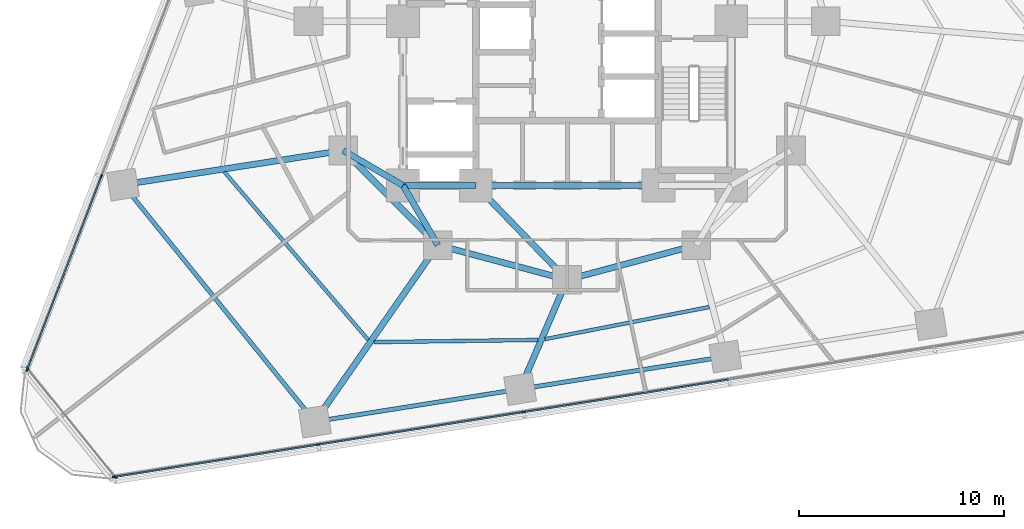
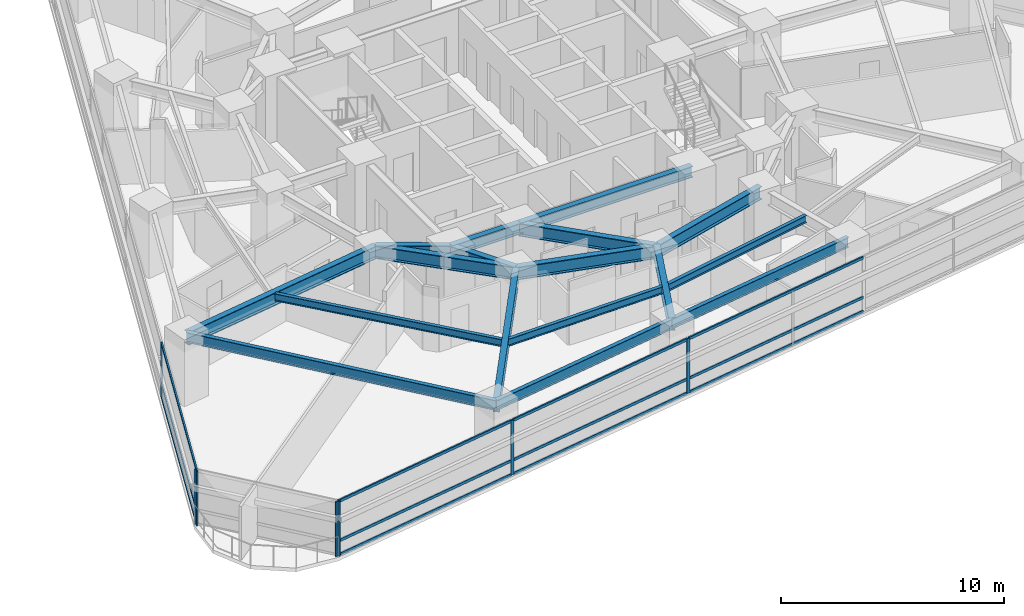
# One storey, part 2 of 13: 19 members, 17 beams, 3 elements without a shape of their own.
"""IFC4 building model written with IfcOpenShell, lengths in metres."""

from ifc_helpers import new_model, si_unit, direction, frame, origin, origin_2d, place, context, subcontext, project, spatial, rectangle, i_section, extrude, material, layer, layer_set, material_profile, profile_set, type_object, element, aggregate, save


model = new_model("IFC4")

# Units and contexts
model_context = context("Model", 3, precision=1e-05, world=origin(), true_north=direction((0.0, 1.0)))
body_context = subcontext(model_context, "Body", "Model", "MODEL_VIEW")
ifc_project = project(units=[si_unit("LENGTHUNIT", "METRE"), si_unit("AREAUNIT", "SQUARE_METRE"), si_unit("VOLUMEUNIT", "CUBIC_METRE"), si_unit("PLANEANGLEUNIT", "RADIAN"), si_unit("MASSUNIT", "GRAM", prefix="KILO")], contexts=[model_context])

# Site, building, storey
site_placement = place(None, origin())
site = spatial("IfcSite", under=ifc_project, at=site_placement, CompositionType="ELEMENT")
building_placement = place(site_placement, origin())
building = spatial("IfcBuilding", under=site, at=building_placement, Name="Terralouvre Media Tower", CompositionType="ELEMENT")
storey_placement = place(building_placement, frame((0.0, 0.0, 77.800048828125)))
storey = spatial("IfcBuildingStorey", under=building, at=storey_placement, Name="L19", CompositionType="ELEMENT", Elevation=77.800048828125)

# Beams
ifc_material_1 = material(Name="Structural steel S355J2", Category="steel")
ifc_material_profile_1 = material_profile(ifc_material_1, i_section(OverallWidth=0.179931640625, OverallDepth=0.39990234375, WebThickness=0.008544921875, FlangeThickness=0.013427734375, at=origin_2d()), Name="IPE 400")
ifc_profile_set_1 = profile_set([ifc_material_profile_1], Name="Structural steel S355J2")
beam_type_1 = type_object("IfcBeamType", Name="Composite Floor Joist J-IPE400 (IPE 400)", PredefinedType="JOIST", material=ifc_profile_set_1)
beam_1_placement = place(storey_placement, frame((-16.69921875, -7.3486328125, 3.300048828125), z_axis=(0.650576599138, -0.759440641955, 0.0), x_axis=(0.759440641955, 0.650576599138, 0.0)))
element("IfcBeam", 1, at=beam_1_placement, inside=storey, type_object=beam_type_1, Name="L19 Framing Beam JT-L19-01", PredefinedType="JOIST", context=body_context, shape_type="SweptSolid", body=[
    extrude(i_section(OverallWidth=0.179931640625, OverallDepth=0.39990234375, WebThickness=0.008544921875, FlangeThickness=0.013427734375, at=origin_2d()), origin(), (0.0, 0.0, 1.0), 10.766845703125),
])
beam_2_placement = place(storey_placement, frame((-9.41259765625, -15.63916015625, 3.300048828125), z_axis=(0.999910093881, 0.013409107136, 0.0), x_axis=(-0.013409107136, 0.999910093881, 0.0)))
element("IfcBeam", 2, at=beam_2_placement, inside=storey, type_object=beam_type_1, Name="L19 Framing Beam JT-L19-02", PredefinedType="JOIST", context=body_context, shape_type="SweptSolid", body=[
    extrude(i_section(OverallWidth=0.179931640625, OverallDepth=0.39990234375, WebThickness=0.008544921875, FlangeThickness=0.013427734375, at=origin_2d()), origin(), (0.0, 0.0, 1.0), 7.992919921875),
])
beam_3_placement = place(storey_placement, frame((-1.08203125, -15.495361328125, 3.300048828125), z_axis=(0.981397676367, 0.191985939127, 0.0), x_axis=(-0.191985939127, 0.981397676367, 0.0)))
element("IfcBeam", 3, at=beam_3_placement, inside=storey, type_object=beam_type_1, Name="L19 Framing Beam JT-L19-03", PredefinedType="JOIST", context=body_context, shape_type="SweptSolid", body=[
    extrude(i_section(OverallWidth=0.179931640625, OverallDepth=0.39990234375, WebThickness=0.008544921875, FlangeThickness=0.013427734375, at=origin_2d()), origin(), (0.0, 0.0, 1.0), 8.165283203125),
])

# Curtain wall, members
ifc_material_2 = material(Name="Low-iron laminated double glazing with solar-control coating", Category="glass")
ifc_layer_1 = layer(ifc_material_2, 0.1650390625, Name="Lower Media Tower Unitised Curtain Wall CW-02")
ifc_layer_set_1 = layer_set([ifc_layer_1], Name="Low-iron laminated double glazing with solar-control coating")
curtain_wall_type_1 = type_object("IfcCurtainWallType", Name="Lower Media Tower Unitised Curtain Wall CW-02", PredefinedType="NOTDEFINED", material=ifc_layer_set_1)
curtain_wall_1_placement = place(storey_placement, origin())
curtain_wall_1 = element("IfcCurtainWall", 4, at=curtain_wall_1_placement, inside=storey, type_object=curtain_wall_type_1, Name="L19 Facade Curtain Wall F0", PredefinedType="NOTDEFINED")
ifc_material_3 = material(Name="Anodised extruded aluminium 6063-T6", Category="aluminium")
ifc_material_profile_2 = material_profile(ifc_material_3, rectangle(XDim=0.074951171875, YDim=0.14990234375, at=origin_2d()), Name="ALU 75x150")
ifc_profile_set_2 = profile_set([ifc_material_profile_2], Name="Anodised extruded aluminium 6063-T6")
member_type_1 = type_object("IfcMemberType", Name="Curtain-Wall Horizontal Transom TR-150", PredefinedType="USERDEFINED", material=ifc_profile_set_2)
member_1_placement = place(storey_placement, frame((-22.04345703125, -22.2001953125, 0.037353515625), z_axis=(0.987689925264, 0.15642445951, 0.0), x_axis=(-0.15642445951, 0.987689925264, 0.0)))
member_1 = element("IfcMember", 5, at=member_1_placement, type_object=member_type_1, Name="CW-02 transom 1.1", ObjectType="TRANSOM", PredefinedType="USERDEFINED", context=body_context, shape_type="SweptSolid", body=[
    extrude(rectangle(XDim=0.074951171875, YDim=0.14990234375, at=origin_2d()), origin(), (0.0, 0.0, 1.0), 10.015380859375),
])
member_2_placement = place(storey_placement, frame((-22.04345703125, -22.2001953125, 0.800048828125), z_axis=(0.987689925264, 0.15642445951, 0.0), x_axis=(-0.15642445951, 0.987689925264, 0.0)))
member_2 = element("IfcMember", 6, at=member_2_placement, type_object=member_type_1, Name="CW-02 transom 1.2", ObjectType="TRANSOM", PredefinedType="USERDEFINED", context=body_context, shape_type="SweptSolid", body=[
    extrude(rectangle(XDim=0.074951171875, YDim=0.14990234375, at=origin_2d()), origin(), (0.0, 0.0, 1.0), 10.015380859375),
])
member_3_placement = place(storey_placement, frame((-22.04345703125, -22.2001953125, 2.96240234375), z_axis=(0.987689925264, 0.15642445951, 0.0), x_axis=(-0.15642445951, 0.987689925264, 0.0)))
member_3 = element("IfcMember", 7, at=member_3_placement, type_object=member_type_1, Name="CW-02 transom 1.3", ObjectType="TRANSOM", PredefinedType="USERDEFINED", context=body_context, shape_type="SweptSolid", body=[
    extrude(rectangle(XDim=0.074951171875, YDim=0.14990234375, at=origin_2d()), origin(), (0.0, 0.0, 1.0), 10.015380859375),
])
member_4_placement = place(storey_placement, frame((-12.0771484375, -20.62158203125, 0.037353515625), z_axis=(0.987690198625, 0.156422733448, 0.0), x_axis=(-0.156422733448, 0.987690198625, 0.0)))
member_4 = element("IfcMember", 8, at=member_4_placement, type_object=member_type_1, Name="CW-02 transom 2.1", ObjectType="TRANSOM", PredefinedType="USERDEFINED", context=body_context, shape_type="SweptSolid", body=[
    extrude(rectangle(XDim=0.074951171875, YDim=0.14990234375, at=origin_2d()), origin(), (0.0, 0.0, 1.0), 10.052978515625),
])
member_5_placement = place(storey_placement, frame((-12.0771484375, -20.62158203125, 0.800048828125), z_axis=(0.987690198625, 0.156422733448, 0.0), x_axis=(-0.156422733448, 0.987690198625, 0.0)))
member_5 = element("IfcMember", 9, at=member_5_placement, type_object=member_type_1, Name="CW-02 transom 2.2", ObjectType="TRANSOM", PredefinedType="USERDEFINED", context=body_context, shape_type="SweptSolid", body=[
    extrude(rectangle(XDim=0.074951171875, YDim=0.14990234375, at=origin_2d()), origin(), (0.0, 0.0, 1.0), 10.052978515625),
])
member_6_placement = place(storey_placement, frame((-12.0771484375, -20.62158203125, 2.96240234375), z_axis=(0.987690198625, 0.156422733448, 0.0), x_axis=(-0.156422733448, 0.987690198625, 0.0)))
member_6 = element("IfcMember", 10, at=member_6_placement, type_object=member_type_1, Name="CW-02 transom 2.3", ObjectType="TRANSOM", PredefinedType="USERDEFINED", context=body_context, shape_type="SweptSolid", body=[
    extrude(rectangle(XDim=0.074951171875, YDim=0.14990234375, at=origin_2d()), origin(), (0.0, 0.0, 1.0), 10.052978515625),
])
member_7_placement = place(storey_placement, frame((-2.073974609375, -19.037353515625, 0.037353515625), z_axis=(0.987686446318, 0.156446424568, 0.0), x_axis=(-0.156446424568, 0.987686446318, 0.0)))
member_7 = element("IfcMember", 11, at=member_7_placement, type_object=member_type_1, Name="CW-02 transom 3.1", ObjectType="TRANSOM", PredefinedType="USERDEFINED", context=body_context, shape_type="SweptSolid", body=[
    extrude(rectangle(XDim=0.074951171875, YDim=0.14990234375, at=origin_2d()), origin(), (0.0, 0.0, 1.0), 10.052978515625),
])
member_8_placement = place(storey_placement, frame((-2.073974609375, -19.037353515625, 0.800048828125), z_axis=(0.987686446318, 0.156446424568, 0.0), x_axis=(-0.156446424568, 0.987686446318, 0.0)))
member_8 = element("IfcMember", 12, at=member_8_placement, type_object=member_type_1, Name="CW-02 transom 3.2", ObjectType="TRANSOM", PredefinedType="USERDEFINED", context=body_context, shape_type="SweptSolid", body=[
    extrude(rectangle(XDim=0.074951171875, YDim=0.14990234375, at=origin_2d()), origin(), (0.0, 0.0, 1.0), 10.052978515625),
])
member_9_placement = place(storey_placement, frame((-2.073974609375, -19.037353515625, 2.96240234375), z_axis=(0.987686446318, 0.156446424568, 0.0), x_axis=(-0.156446424568, 0.987686446318, 0.0)))
member_9 = element("IfcMember", 13, at=member_9_placement, type_object=member_type_1, Name="CW-02 transom 3.3", ObjectType="TRANSOM", PredefinedType="USERDEFINED", context=body_context, shape_type="SweptSolid", body=[
    extrude(rectangle(XDim=0.074951171875, YDim=0.14990234375, at=origin_2d()), origin(), (0.0, 0.0, 1.0), 10.052978515625),
])

curtain_wall_2_placement = place(storey_placement, origin())
curtain_wall_2 = element("IfcCurtainWall", 14, at=curtain_wall_2_placement, inside=storey, type_object=curtain_wall_type_1, Name="L19 Facade Curtain Wall F2", PredefinedType="NOTDEFINED")
member_10_placement = place(storey_placement, frame((-22.708984375, -7.595947265625, 0.037353515625), z_axis=(-0.358363173116, -0.933582259983, 0.0), x_axis=(0.933582259983, -0.358363173116, 0.0)))
member_10 = element("IfcMember", 15, at=member_10_placement, type_object=member_type_1, Name="CW-02 transom 5.1", ObjectType="TRANSOM", PredefinedType="USERDEFINED", context=body_context, shape_type="SweptSolid", body=[
    extrude(rectangle(XDim=0.074951171875, YDim=0.14990234375, at=origin_2d()), origin(), (0.0, 0.0, 1.0), 10.015380859375),
])
member_11_placement = place(storey_placement, frame((-22.708984375, -7.595947265625, 0.800048828125), z_axis=(-0.358363173116, -0.933582259983, 0.0), x_axis=(0.933582259983, -0.358363173116, 0.0)))
member_11 = element("IfcMember", 16, at=member_11_placement, type_object=member_type_1, Name="CW-02 transom 5.2", ObjectType="TRANSOM", PredefinedType="USERDEFINED", context=body_context, shape_type="SweptSolid", body=[
    extrude(rectangle(XDim=0.074951171875, YDim=0.14990234375, at=origin_2d()), origin(), (0.0, 0.0, 1.0), 10.015380859375),
])
member_12_placement = place(storey_placement, frame((-22.708984375, -7.595947265625, 2.96240234375), z_axis=(-0.358363173116, -0.933582259983, 0.0), x_axis=(0.933582259983, -0.358363173116, 0.0)))
member_12 = element("IfcMember", 17, at=member_12_placement, type_object=member_type_1, Name="CW-02 transom 5.3", ObjectType="TRANSOM", PredefinedType="USERDEFINED", context=body_context, shape_type="SweptSolid", body=[
    extrude(rectangle(XDim=0.074951171875, YDim=0.14990234375, at=origin_2d()), origin(), (0.0, 0.0, 1.0), 10.015380859375),
])

# Member
ifc_material_4 = material(Name="Anodised extruded aluminium 6063-T6", Category="aluminium")
ifc_material_profile_3 = material_profile(ifc_material_4, rectangle(XDim=0.074951171875, YDim=0.179931640625, at=origin_2d()), Name="ALU 75x180")
ifc_profile_set_3 = profile_set([ifc_material_profile_3], Name="Anodised extruded aluminium 6063-T6")
member_type_2 = type_object("IfcMemberType", Name="Curtain-Wall Vertical Mullion ML-180", PredefinedType="MULLION", material=ifc_profile_set_3)
member_13_placement = place(storey_placement, frame((-22.08056640625, -22.2060546875, 0.0), z_axis=(0.0, 0.0, 1.0), x_axis=(-0.156434462903, 0.987688340934, 0.0)))
member_13 = element("IfcMember", 18, at=member_13_placement, type_object=member_type_2, Name="CW-02 mullion 1", PredefinedType="MULLION", context=body_context, shape_type="SweptSolid", body=[
    extrude(rectangle(XDim=0.074951171875, YDim=0.179931640625, at=origin_2d()), origin(), (0.0, 0.0, 1.0), 3.0),
])

member_14_placement = place(storey_placement, frame((-12.1142578125, -20.62744140625, 0.0), z_axis=(0.0, 0.0, 1.0), x_axis=(-0.156434462903, 0.987688340934, 0.0)))
member_14 = element("IfcMember", 19, at=member_14_placement, type_object=member_type_2, Name="CW-02 mullion 2", PredefinedType="MULLION", context=body_context, shape_type="SweptSolid", body=[
    extrude(rectangle(XDim=0.074951171875, YDim=0.179931640625, at=origin_2d()), origin(), (0.0, 0.0, 1.0), 3.0),
])

member_15_placement = place(storey_placement, frame((-2.111083984375, -19.043212890625, 0.0), z_axis=(0.0, 0.0, 1.0), x_axis=(-0.156434462903, 0.987688340934, 0.0)))
member_15 = element("IfcMember", 20, at=member_15_placement, type_object=member_type_2, Name="CW-02 mullion 3", PredefinedType="MULLION", context=body_context, shape_type="SweptSolid", body=[
    extrude(rectangle(XDim=0.074951171875, YDim=0.179931640625, at=origin_2d()), origin(), (0.0, 0.0, 1.0), 3.0),
])

aggregate(curtain_wall_1, [member_13, member_14, member_15, member_1, member_2, member_3, member_4, member_5, member_6, member_7, member_8, member_9])

member_16_placement = place(storey_placement, frame((-22.695556640625, -7.560791015625, 0.0), z_axis=(0.0, 0.0, 1.0), x_axis=(0.933580438988, -0.358367917006, 0.0)))
member_16 = element("IfcMember", 21, at=member_16_placement, type_object=member_type_2, Name="CW-02 mullion 5", PredefinedType="MULLION", context=body_context, shape_type="SweptSolid", body=[
    extrude(rectangle(XDim=0.074951171875, YDim=0.179931640625, at=origin_2d()), origin(), (0.0, 0.0, 1.0), 3.0),
])

member_17_placement = place(storey_placement, frame((-26.3115234375, -16.981201171875, 0.0), z_axis=(0.0, 0.0, 1.0), x_axis=(0.933580438988, -0.358367917006, 0.0)))
member_17 = element("IfcMember", 22, at=member_17_placement, type_object=member_type_2, Name="CW-02 mullion 6", PredefinedType="MULLION", context=body_context, shape_type="SweptSolid", body=[
    extrude(rectangle(XDim=0.074951171875, YDim=0.179931640625, at=origin_2d()), origin(), (0.0, 0.0, 1.0), 3.0),
])

aggregate(curtain_wall_2, [member_16, member_17, member_10, member_11, member_12])

# Curtain wall, members
ifc_material_5 = material(Name="Low-iron laminated double glazing with solar-control coating", Category="glass")
ifc_layer_2 = layer(ifc_material_5, 0.1650390625, Name="Rounded Wind-Corner Curved Glazing CW-04")
ifc_layer_set_2 = layer_set([ifc_layer_2], Name="Low-iron laminated double glazing with solar-control coating")
curtain_wall_type_2 = type_object("IfcCurtainWallType", Name="Rounded Wind-Corner Curved Glazing CW-04", PredefinedType="NOTDEFINED", material=ifc_layer_set_2)
curtain_wall_3_placement = place(storey_placement, origin())
curtain_wall_3 = element("IfcCurtainWall", 23, at=curtain_wall_3_placement, inside=storey, type_object=curtain_wall_type_2, Name="L19 Rounded Wind-Corner Curtain Wall C0", PredefinedType="NOTDEFINED")
member_18_placement = place(storey_placement, frame((-26.3046875, -16.9140625, 0.0), z_axis=(0.0, 0.0, 1.0), x_axis=(0.777146252262, 0.629320031936, 0.0)))
member_18 = element("IfcMember", 24, at=member_18_placement, type_object=member_type_2, Name="CW-04 mullion 1", PredefinedType="MULLION", context=body_context, shape_type="SweptSolid", body=[
    extrude(rectangle(XDim=0.074951171875, YDim=0.179931640625, at=origin_2d()), origin(), (0.0, 0.0, 1.0), 3.0),
])
member_19_placement = place(storey_placement, frame((-22.013671875, -22.213134765625, 0.0), z_axis=(0.0, 0.0, 1.0), x_axis=(0.777146252262, 0.629320031936, 0.0)))
member_19 = element("IfcMember", 25, at=member_19_placement, type_object=member_type_2, Name="CW-04 mullion 2", PredefinedType="MULLION", context=body_context, shape_type="SweptSolid", body=[
    extrude(rectangle(XDim=0.074951171875, YDim=0.179931640625, at=origin_2d()), origin(), (0.0, 0.0, 1.0), 3.0),
])
aggregate(curtain_wall_3, [member_18, member_19])

# Beams
ifc_material_6 = material(Name="Structural steel S355J2", Category="steel")
ifc_material_profile_4 = material_profile(ifc_material_6, i_section(OverallWidth=0.2099609375, OverallDepth=0.550048828125, WebThickness=0.010986328125, FlangeThickness=0.01708984375, at=origin_2d()), Name="IPE 550")
ifc_profile_set_4 = profile_set([ifc_material_profile_4], Name="Structural steel S355J2")
beam_type_2 = type_object("IfcBeamType", Name="Perimeter Spandrel Beam SPB-550 (IPE 550)", PredefinedType="SPANDREL", material=ifc_profile_set_4)
beam_4_placement = place(storey_placement, frame((-21.640625, -7.9658203125, 3.224853515625), z_axis=(0.629325386112, -0.777141916509, 0.0), x_axis=(0.777141916509, 0.629325386112, 0.0)))
element("IfcBeam", 26, at=beam_4_placement, inside=storey, type_object=beam_type_2, Name="L19 Framing Beam BM-L19-PR01", PredefinedType="SPANDREL", context=body_context, shape_type="SweptSolid", body=[
    extrude(i_section(OverallWidth=0.2099609375, OverallDepth=0.550048828125, WebThickness=0.010986328125, FlangeThickness=0.01708984375, at=origin_2d()), origin(), (0.0, 0.0, 1.0), 14.8564453125),
])
beam_5_placement = place(storey_placement, frame((-12.291015625, -19.511474609375, 3.224853515625), z_axis=(0.987686424887, 0.156446559869, 0.0), x_axis=(-0.156446559869, 0.987686424887, 0.0)))
element("IfcBeam", 27, at=beam_5_placement, inside=storey, type_object=beam_type_2, Name="L19 Framing Beam BM-L19-PR02", PredefinedType="SPANDREL", context=body_context, shape_type="SweptSolid", body=[
    extrude(i_section(OverallWidth=0.2099609375, OverallDepth=0.550048828125, WebThickness=0.010986328125, FlangeThickness=0.01708984375, at=origin_2d()), origin(), (0.0, 0.0, 1.0), 10.1279296875),
])
beam_6_placement = place(storey_placement, frame((-2.287841796875, -17.927001953125, 3.224853515625), z_axis=(0.987690739256, 0.15641931974, 0.0), x_axis=(-0.15641931974, 0.987690739256, 0.0)))
element("IfcBeam", 28, at=beam_6_placement, inside=storey, type_object=beam_type_2, Name="L19 Framing Beam BM-L19-PR03", PredefinedType="SPANDREL", context=body_context, shape_type="SweptSolid", body=[
    extrude(i_section(OverallWidth=0.2099609375, OverallDepth=0.550048828125, WebThickness=0.010986328125, FlangeThickness=0.01708984375, at=origin_2d()), origin(), (0.0, 0.0, 1.0), 10.128173828125),
])
ifc_material_7 = material(Name="Structural steel S460M", Category="steel")
ifc_material_profile_5 = material_profile(ifc_material_7, i_section(OverallWidth=0.300048828125, OverallDepth=0.60009765625, WebThickness=0.015380859375, FlangeThickness=0.030029296875, at=origin_2d()), Name="HEB 600")
ifc_profile_set_5 = profile_set([ifc_material_profile_5], Name="Structural steel S460M")
beam_type_3 = type_object("IfcBeamType", Name="Primary Floor Girder B-HEB600 (HEB 600)", PredefinedType="BEAM", material=ifc_profile_set_5)
beam_7_placement = place(storey_placement, frame((-8.0, -8.0, 3.199951171875), z_axis=(1.0, 0.0, 0.0), x_axis=(0.0, 1.0, 0.0)))
element("IfcBeam", 29, at=beam_7_placement, inside=storey, type_object=beam_type_3, Name="L19 Framing Beam BM-L19-CPR01", PredefinedType="BEAM", context=body_context, shape_type="SweptSolid", body=[
    extrude(i_section(OverallWidth=0.300048828125, OverallDepth=0.60009765625, WebThickness=0.015380859375, FlangeThickness=0.030029296875, at=origin_2d()), origin(), (0.0, 0.0, 1.0), 3.550048828125),
])
beam_8_placement = place(storey_placement, frame((-4.449951171875, -8.0, 3.199951171875), z_axis=(1.0, 0.0, 0.0), x_axis=(0.0, 1.0, 0.0)))
element("IfcBeam", 30, at=beam_8_placement, inside=storey, type_object=beam_type_3, Name="L19 Framing Beam BM-L19-CPR02", PredefinedType="BEAM", context=body_context, shape_type="SweptSolid", body=[
    extrude(i_section(OverallWidth=0.300048828125, OverallDepth=0.60009765625, WebThickness=0.015380859375, FlangeThickness=0.030029296875, at=origin_2d()), origin(), (0.0, 0.0, 1.0), 8.89990234375),
])
ifc_material_8 = material(Name="Structural steel S460M", Category="steel")
ifc_material_profile_6 = material_profile(ifc_material_8, i_section(OverallWidth=0.300048828125, OverallDepth=0.699951171875, WebThickness=0.01708984375, FlangeThickness=0.031982421875, at=origin_2d()), Name="HEB 700")
ifc_profile_set_6 = profile_set([ifc_material_profile_6], Name="Structural steel S460M")
beam_type_4 = type_object("IfcBeamType", Name="Primary Floor Girder B-HEB700 (HEB 700)", PredefinedType="BEAM", material=ifc_profile_set_6)
beam_9_placement = place(storey_placement, frame((-10.911865234375, -6.300048828125, 3.14990234375), z_axis=(0.707106781187, -0.707106781187, 0.0), x_axis=(0.707106781187, 0.707106781187, 0.0)))
element("IfcBeam", 31, at=beam_9_placement, inside=storey, type_object=beam_type_4, Name="L19 Framing Beam BM-L19-MR01", PredefinedType="BEAM", context=body_context, shape_type="SweptSolid", body=[
    extrude(i_section(OverallWidth=0.300048828125, OverallDepth=0.699951171875, WebThickness=0.01708984375, FlangeThickness=0.031982421875, at=origin_2d()), origin(), (0.0, 0.0, 1.0), 6.52197265625),
])
for number, where, z_axis, x_axis, name in (
    (32, (-6.300048828125, -10.911865234375, 3.14990234375), (0.965920481897, -0.258838989821, 0.0), (0.258838989821, 0.965920481897, 0.0), "L19 Framing Beam BM-L19-MR02"),
    (33, (0.0, -12.60009765625, 3.14990234375), (0.965920481897, 0.258838989821, 0.0), (-0.258838989821, 0.965920481897, 0.0), "L19 Framing Beam BM-L19-MR03"),
):
    element("IfcBeam", number, at=place(storey_placement, frame(where, z_axis=z_axis, x_axis=x_axis)), inside=storey, type_object=beam_type_4, Name=name, PredefinedType="BEAM", context=body_context, shape_type="SweptSolid", body=[
        extrude(i_section(OverallWidth=0.300048828125, OverallDepth=0.699951171875, WebThickness=0.01708984375, FlangeThickness=0.031982421875, at=origin_2d()), origin(), (0.0, 0.0, 1.0), 6.522216796875),
    ])
for number, where, z_axis, x_axis, name in (
    (34, (-8.0, -8.0, 3.14990234375), (-0.863602894532, 0.504172629717, 0.0), (-0.504172629717, -0.863602894532, 0.0), "L19 Framing Beam BM-L19-CM01"),
    (35, (-8.0, -8.0, 3.14990234375), (0.504172629717, -0.863602894532, 0.0), (0.863602894532, 0.504172629717, 0.0), "L19 Framing Beam BM-L19-CM02"),
):
    element("IfcBeam", number, at=place(storey_placement, frame(where, z_axis=z_axis, x_axis=x_axis)), inside=storey, type_object=beam_type_4, Name=name, PredefinedType="BEAM", context=body_context, shape_type="SweptSolid", body=[
        extrude(i_section(OverallWidth=0.300048828125, OverallDepth=0.699951171875, WebThickness=0.01708984375, FlangeThickness=0.031982421875, at=origin_2d()), origin(), (0.0, 0.0, 1.0), 3.371826171875),
    ])
beam_10_placement = place(storey_placement, frame((-4.449951171875, -8.0, 3.14990234375), z_axis=(0.695279715726, -0.718739255155, 0.0), x_axis=(0.718739255155, 0.695279715726, 0.0)))
element("IfcBeam", 36, at=beam_10_placement, inside=storey, type_object=beam_type_4, Name="L19 Framing Beam BM-L19-CM03", PredefinedType="BEAM", context=body_context, shape_type="SweptSolid", body=[
    extrude(i_section(OverallWidth=0.300048828125, OverallDepth=0.699951171875, WebThickness=0.01708984375, FlangeThickness=0.031982421875, at=origin_2d()), origin(), (0.0, 0.0, 1.0), 6.400146484375),
])
beam_11_placement = place(storey_placement, frame((-10.911865234375, -6.300048828125, 3.14990234375), z_axis=(-0.98816044694, -0.153424023881, 0.0), x_axis=(0.153424023881, -0.98816044694, 0.0)))
element("IfcBeam", 37, at=beam_11_placement, inside=storey, type_object=beam_type_4, Name="L19 Framing Beam BM-L19-RD01", PredefinedType="BEAM", context=body_context, shape_type="SweptSolid", body=[
    extrude(i_section(OverallWidth=0.300048828125, OverallDepth=0.699951171875, WebThickness=0.01708984375, FlangeThickness=0.031982421875, at=origin_2d()), origin(), (0.0, 0.0, 1.0), 10.857421875),
])
beam_12_placement = place(storey_placement, frame((-6.300048828125, -10.911865234375, 3.14990234375), z_axis=(-0.571619237268, -0.820519011105, 0.0), x_axis=(0.820519011105, -0.571619237268, 0.0)))
element("IfcBeam", 38, at=beam_12_placement, inside=storey, type_object=beam_type_4, Name="L19 Framing Beam BM-L19-RD02", PredefinedType="BEAM", context=body_context, shape_type="SweptSolid", body=[
    extrude(i_section(OverallWidth=0.300048828125, OverallDepth=0.699951171875, WebThickness=0.01708984375, FlangeThickness=0.031982421875, at=origin_2d()), origin(), (0.0, 0.0, 1.0), 10.480712890625),
])
beam_13_placement = place(storey_placement, frame((0.0, -12.60009765625, 3.14990234375), z_axis=(-0.394630726641, -0.918839806272, 0.0), x_axis=(0.918839806272, -0.394630726641, 0.0)))
element("IfcBeam", 39, at=beam_13_placement, inside=storey, type_object=beam_type_4, Name="L19 Framing Beam BM-L19-RD03", PredefinedType="BEAM", context=body_context, shape_type="SweptSolid", body=[
    extrude(i_section(OverallWidth=0.300048828125, OverallDepth=0.699951171875, WebThickness=0.01708984375, FlangeThickness=0.031982421875, at=origin_2d()), origin(), (0.0, 0.0, 1.0), 5.79736328125),
])

save(model, "model.ifc")
